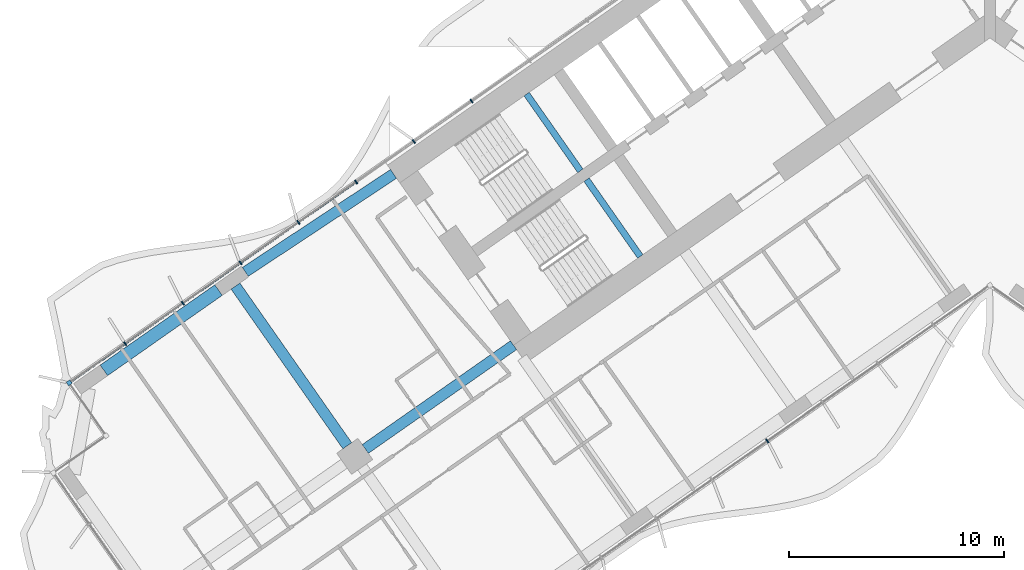
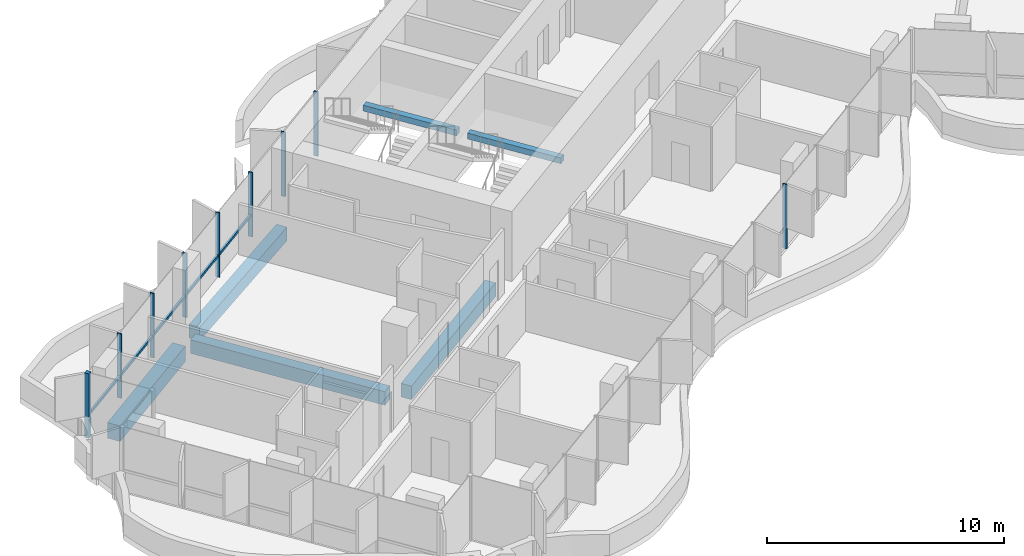
# One storey, part 4 of 23: 10 members, 6 beams, 2 elements without a shape of their own.
"""IFC4 building model written with IfcOpenShell, lengths in metres."""

from ifc_helpers import new_model, si_unit, direction, frame, origin, origin_2d, place, context, subcontext, project, spatial, rectangle, extrude, material, material_profile, profile_set, type_object, element, aggregate, save


model = new_model("IFC4")

# Units and contexts
model_context = context("Model", 3, precision=1e-05, world=origin(), true_north=direction((0.0, 1.0)))
body_context = subcontext(model_context, "Body", "Model", "MODEL_VIEW")
ifc_project = project(units=[si_unit("LENGTHUNIT", "METRE"), si_unit("AREAUNIT", "SQUARE_METRE"), si_unit("VOLUMEUNIT", "CUBIC_METRE"), si_unit("PLANEANGLEUNIT", "RADIAN"), si_unit("MASSUNIT", "GRAM", prefix="KILO")], contexts=[model_context])

# Site, building, storey
site_placement = place(None, origin())
site = spatial("IfcSite", under=ifc_project, at=site_placement, CompositionType="ELEMENT")
building_placement = place(site_placement, origin())
building = spatial("IfcBuilding", under=site, at=building_placement, Name="Tel Ilan Convention Tower", CompositionType="ELEMENT")
storey_placement = place(building_placement, frame((0.0, 0.0, 83.300048828125)))
storey = spatial("IfcBuildingStorey", under=building, at=storey_placement, Name="L16", CompositionType="ELEMENT", Elevation=83.300048828125)

# Beams
ifc_material_1 = material(Name="Concrete C40/50", Category="concrete")
ifc_material_profile_1 = material_profile(ifc_material_1, rectangle(XDim=0.5, YDim=0.699951171875, at=origin_2d()), Name="RC 500x700")
ifc_profile_set_1 = profile_set([ifc_material_profile_1], Name="Concrete C40/50")
beam_type_1 = type_object("IfcBeamType", Name="Beam RC 500x700 Concrete C40/50", PredefinedType="BEAM", material=ifc_profile_set_1)
beam_1_placement = place(storey_placement, frame((-34.570556640625, -12.08447265625, -0.630126953125), z_axis=(0.834273603487, 0.551350663847, 0.0), x_axis=(-0.551350663847, 0.834273603487, 0.0)))
element("IfcBeam", 1, at=beam_1_placement, inside=storey, type_object=beam_type_1, Name="L16 beam W-W-B4-core", PredefinedType="BEAM", context=body_context, shape_type="SweptSolid", body=[
    extrude(rectangle(XDim=0.5, YDim=0.699951171875, at=origin_2d()), origin(), (0.0, 0.0, 1.0), 8.2529296875),
])
beam_2_placement = place(storey_placement, frame((-22.1171875, -15.486572265625, -0.630126953125), z_axis=(-0.819147254605, -0.573583276668, 0.0), x_axis=(0.573583276668, -0.819147254605, 0.0)))
element("IfcBeam", 2, at=beam_2_placement, inside=storey, type_object=beam_type_1, Name="L16 beam W-core-W-M4", PredefinedType="BEAM", context=body_context, shape_type="SweptSolid", body=[
    extrude(rectangle(XDim=0.5, YDim=0.699951171875, at=origin_2d()), origin(), (0.0, 0.0, 1.0), 8.400146484375),
])
beam_3_placement = place(storey_placement, frame((-29.83349609375, -20.1572265625, -0.630126953125), z_axis=(-0.57358002233, 0.819149533348, 0.0), x_axis=(-0.819149533348, -0.57358002233, 0.0)))
element("IfcBeam", 3, at=beam_3_placement, inside=storey, type_object=beam_type_1, Name="L16 beam W-W-M4-W-B4", PredefinedType="BEAM", context=body_context, shape_type="SweptSolid", body=[
    extrude(rectangle(XDim=0.5, YDim=0.699951171875, at=origin_2d()), origin(), (0.0, 0.0, 1.0), 9.050048828125),
])
ifc_material_2 = material(Name="Concrete C40/50", Category="concrete")
ifc_material_profile_2 = material_profile(ifc_material_2, rectangle(XDim=0.60009765625, YDim=0.800048828125, at=origin_2d()), Name="RC 600x800")
ifc_profile_set_2 = profile_set([ifc_material_profile_2], Name="Concrete C40/50")
beam_type_2 = type_object("IfcBeamType", Name="Beam RC 600x800 Concrete C40/50", PredefinedType="BEAM", material=ifc_profile_set_2)
beam_4_placement = place(storey_placement, frame((-41.135498046875, -16.656494140625, -0.679931640625), z_axis=(0.819178980414, 0.573537965655, 0.0), x_axis=(-0.573537965655, 0.819178980414, 0.0)))
element("IfcBeam", 4, at=beam_4_placement, inside=storey, type_object=beam_type_2, Name="L16 beam W-W-BC-W-B4", PredefinedType="BEAM", context=body_context, shape_type="SweptSolid", body=[
    extrude(rectangle(XDim=0.60009765625, YDim=0.800048828125, at=origin_2d()), origin(), (0.0, 0.0, 1.0), 6.5),
])

# Curtain wall, member
ifc_material_3 = material(Name="Aluminium, bronze anodised", Category="aluminium")
curtain_wall_type_1 = type_object("IfcCurtainWallType", Name="CW1 UNITISED CURTAIN WALL, HOTEL TINTED GLASS", PredefinedType="NOTDEFINED", material=ifc_material_3)
curtain_wall_1_placement = place(storey_placement, origin())
curtain_wall_1 = element("IfcCurtainWall", 5, at=curtain_wall_1_placement, inside=storey, type_object=curtain_wall_type_1, Name="Curtain wall CW1-15.02", PredefinedType="NOTDEFINED")
ifc_material_4 = material(Name="Aluminium, bronze anodised", Category="aluminium")
ifc_material_profile_3 = material_profile(ifc_material_4, rectangle(XDim=0.199951171875, YDim=0.199951171875, at=origin_2d()), Name="CW CORNER MULLION 200x200")
ifc_profile_set_3 = profile_set([ifc_material_profile_3], Name="Aluminium, bronze anodised")
member_type_1 = type_object("IfcMemberType", Name="CW CORNER MULLION 200x200", PredefinedType="MULLION", material=ifc_profile_set_3)
member_1_placement = place(storey_placement, frame((-42.7451171875, -17.234375, 0.0), z_axis=(0.0, 0.0, 1.0), x_axis=(-0.819152044289, -0.573576436351, 0.0)))
member_1 = element("IfcMember", 6, at=member_1_placement, type_object=member_type_1, Name="Corner mullion", PredefinedType="MULLION", context=body_context, shape_type="SweptSolid", body=[
    extrude(rectangle(XDim=0.199951171875, YDim=0.199951171875, at=origin_2d()), origin(), (0.0, 0.0, 1.0), 3.320068359375),
])

# Curtain wall, members
ifc_material_5 = material(Name="Aluminium, bronze anodised", Category="aluminium")
curtain_wall_type_2 = type_object("IfcCurtainWallType", Name="CW2 STICK CURTAIN WALL, SPANDREL PANELS", PredefinedType="NOTDEFINED", material=ifc_material_5)
curtain_wall_2_placement = place(storey_placement, origin())
curtain_wall_2 = element("IfcCurtainWall", 7, at=curtain_wall_2_placement, inside=storey, type_object=curtain_wall_type_2, Name="Curtain wall CW2-15.01", PredefinedType="NOTDEFINED")
ifc_material_6 = material(Name="Aluminium, bronze anodised", Category="aluminium")
ifc_material_profile_4 = material_profile(ifc_material_6, rectangle(XDim=0.06005859375, YDim=0.199951171875, at=origin_2d()), Name="CW MULLION 60x200")
ifc_profile_set_4 = profile_set([ifc_material_profile_4], Name="Aluminium, bronze anodised")
member_type_2 = type_object("IfcMemberType", Name="CW MULLION 60x200", PredefinedType="MULLION", material=ifc_profile_set_4)
member_2_placement = place(storey_placement, frame((-24.065185546875, -4.154541015625, 0.0), z_axis=(0.0, 0.0, 1.0), x_axis=(-0.819152044289, -0.573576436351, 0.0)))
member_2 = element("IfcMember", 8, at=member_2_placement, type_object=member_type_2, Name="Mullion", PredefinedType="MULLION", context=body_context, shape_type="SweptSolid", body=[
    extrude(rectangle(XDim=0.06005859375, YDim=0.199951171875, at=origin_2d()), origin(), (0.0, 0.0, 1.0), 3.320068359375),
])
member_3_placement = place(storey_placement, frame((-26.745361328125, -6.03125, 0.0), z_axis=(0.0, 0.0, 1.0), x_axis=(-0.819152044289, -0.573576436351, 0.0)))
member_3 = element("IfcMember", 9, at=member_3_placement, type_object=member_type_2, Name="Mullion", PredefinedType="MULLION", context=body_context, shape_type="SweptSolid", body=[
    extrude(rectangle(XDim=0.06005859375, YDim=0.199951171875, at=origin_2d()), origin(), (0.0, 0.0, 1.0), 3.320068359375),
])
member_4_placement = place(storey_placement, frame((-29.42578125, -7.907958984375, 0.0), z_axis=(0.0, 0.0, 1.0), x_axis=(-0.819152044289, -0.573576436351, 0.0)))
member_4 = element("IfcMember", 10, at=member_4_placement, type_object=member_type_2, Name="Mullion", PredefinedType="MULLION", context=body_context, shape_type="SweptSolid", body=[
    extrude(rectangle(XDim=0.06005859375, YDim=0.199951171875, at=origin_2d()), origin(), (0.0, 0.0, 1.0), 3.320068359375),
])
aggregate(curtain_wall_2, [member_2, member_3, member_4])

# Member
member_5_placement = place(storey_placement, frame((-32.10595703125, -9.78466796875, 0.0), z_axis=(0.0, 0.0, 1.0), x_axis=(-0.819152044289, -0.573576436351, 0.0)))
member_5 = element("IfcMember", 11, at=member_5_placement, type_object=member_type_2, Name="Mullion", PredefinedType="MULLION", context=body_context, shape_type="SweptSolid", body=[
    extrude(rectangle(XDim=0.06005859375, YDim=0.199951171875, at=origin_2d()), origin(), (0.0, 0.0, 1.0), 3.320068359375),
])

member_6_placement = place(storey_placement, frame((-34.7861328125, -11.66162109375, 0.0), z_axis=(0.0, 0.0, 1.0), x_axis=(-0.819152044289, -0.573576436351, 0.0)))
member_6 = element("IfcMember", 12, at=member_6_placement, type_object=member_type_2, Name="Mullion", PredefinedType="MULLION", context=body_context, shape_type="SweptSolid", body=[
    extrude(rectangle(XDim=0.06005859375, YDim=0.199951171875, at=origin_2d()), origin(), (0.0, 0.0, 1.0), 3.320068359375),
])

member_7_placement = place(storey_placement, frame((-37.466552734375, -13.538330078125, 0.0), z_axis=(0.0, 0.0, 1.0), x_axis=(-0.819152044289, -0.573576436351, 0.0)))
member_7 = element("IfcMember", 13, at=member_7_placement, type_object=member_type_2, Name="Mullion", PredefinedType="MULLION", context=body_context, shape_type="SweptSolid", body=[
    extrude(rectangle(XDim=0.06005859375, YDim=0.199951171875, at=origin_2d()), origin(), (0.0, 0.0, 1.0), 3.320068359375),
])

member_8_placement = place(storey_placement, frame((-40.146728515625, -15.4150390625, 0.0), z_axis=(0.0, 0.0, 1.0), x_axis=(-0.819152044289, -0.573576436351, 0.0)))
member_8 = element("IfcMember", 14, at=member_8_placement, type_object=member_type_2, Name="Mullion", PredefinedType="MULLION", context=body_context, shape_type="SweptSolid", body=[
    extrude(rectangle(XDim=0.06005859375, YDim=0.199951171875, at=origin_2d()), origin(), (0.0, 0.0, 1.0), 3.320068359375),
])

member_9_placement = place(storey_placement, frame((-10.337158203125, -19.93408203125, 0.0), z_axis=(0.0, 0.0, 1.0), x_axis=(0.819152044289, 0.573576436351, 0.0)))
member_9 = element("IfcMember", 15, at=member_9_placement, type_object=member_type_2, Name="Mullion", PredefinedType="MULLION", context=body_context, shape_type="SweptSolid", body=[
    extrude(rectangle(XDim=0.06005859375, YDim=0.199951171875, at=origin_2d()), origin(), (0.0, 0.0, 1.0), 3.320068359375),
])

ifc_material_7 = material(Name="Aluminium, bronze anodised", Category="aluminium")
ifc_material_profile_5 = material_profile(ifc_material_7, rectangle(XDim=0.10009765625, YDim=0.1201171875, at=origin_2d()), Name="CW TRANSOM 100x120")
ifc_profile_set_5 = profile_set([ifc_material_profile_5], Name="Aluminium, bronze anodised")
member_type_3 = type_object("IfcMemberType", Name="CW TRANSOM 100x120", PredefinedType="USERDEFINED", material=ifc_profile_set_5)
member_10_placement = place(storey_placement, frame((-29.4501953125, -7.92529296875, 1.099853515625), z_axis=(-0.819153693934, -0.573574080407, 0.0), x_axis=(0.573574080407, -0.819153693934, 0.0)))
member_10 = element("IfcMember", 16, at=member_10_placement, type_object=member_type_3, Name="Transom", ObjectType="TRANSOM", PredefinedType="USERDEFINED", context=body_context, shape_type="SweptSolid", body=[
    extrude(rectangle(XDim=0.10009765625, YDim=0.1201171875, at=origin_2d()), origin(), (0.0, 0.0, 1.0), 16.1298828125),
])

aggregate(curtain_wall_1, [member_5, member_6, member_7, member_8, member_1, member_10, member_9])

# Beams
ifc_material_8 = material(Name="Concrete C40/50", Category="concrete")
ifc_material_profile_6 = material_profile(ifc_material_8, rectangle(XDim=0.300048828125, YDim=0.300048828125, at=origin_2d()), Name="RC 300x300")
ifc_profile_set_6 = profile_set([ifc_material_profile_6], Name="Concrete C40/50")
beam_type_3 = type_object("IfcBeamType", Name="Landing Beam RC 300x300 Concrete C40/50", PredefinedType="BEAM", material=ifc_profile_set_6)
beam_5_placement = place(storey_placement, frame((-19.013671875, -7.392822265625, 1.449951171875), z_axis=(-0.57356780395, 0.819158088694, 0.0), x_axis=(-0.819158088694, -0.57356780395, 0.0)))
element("IfcBeam", 17, at=beam_5_placement, inside=storey, type_object=beam_type_3, Name="S1 landing beam L16.1", PredefinedType="BEAM", context=body_context, shape_type="SweptSolid", body=[
    extrude(rectangle(XDim=0.300048828125, YDim=0.300048828125, at=origin_2d()), origin(), (0.0, 0.0, 1.0), 4.35009765625),
])
beam_6_placement = place(storey_placement, frame((-16.231689453125, -11.365478515625, 1.449951171875), z_axis=(-0.573594173421, 0.819139624372, 0.0), x_axis=(-0.819139624372, -0.573594173421, 0.0)))
element("IfcBeam", 18, at=beam_6_placement, inside=storey, type_object=beam_type_3, Name="S2 landing beam L16.1", PredefinedType="BEAM", context=body_context, shape_type="SweptSolid", body=[
    extrude(rectangle(XDim=0.300048828125, YDim=0.300048828125, at=origin_2d()), origin(), (0.0, 0.0, 1.0), 4.349853515625),
])

save(model, "model.ifc")
